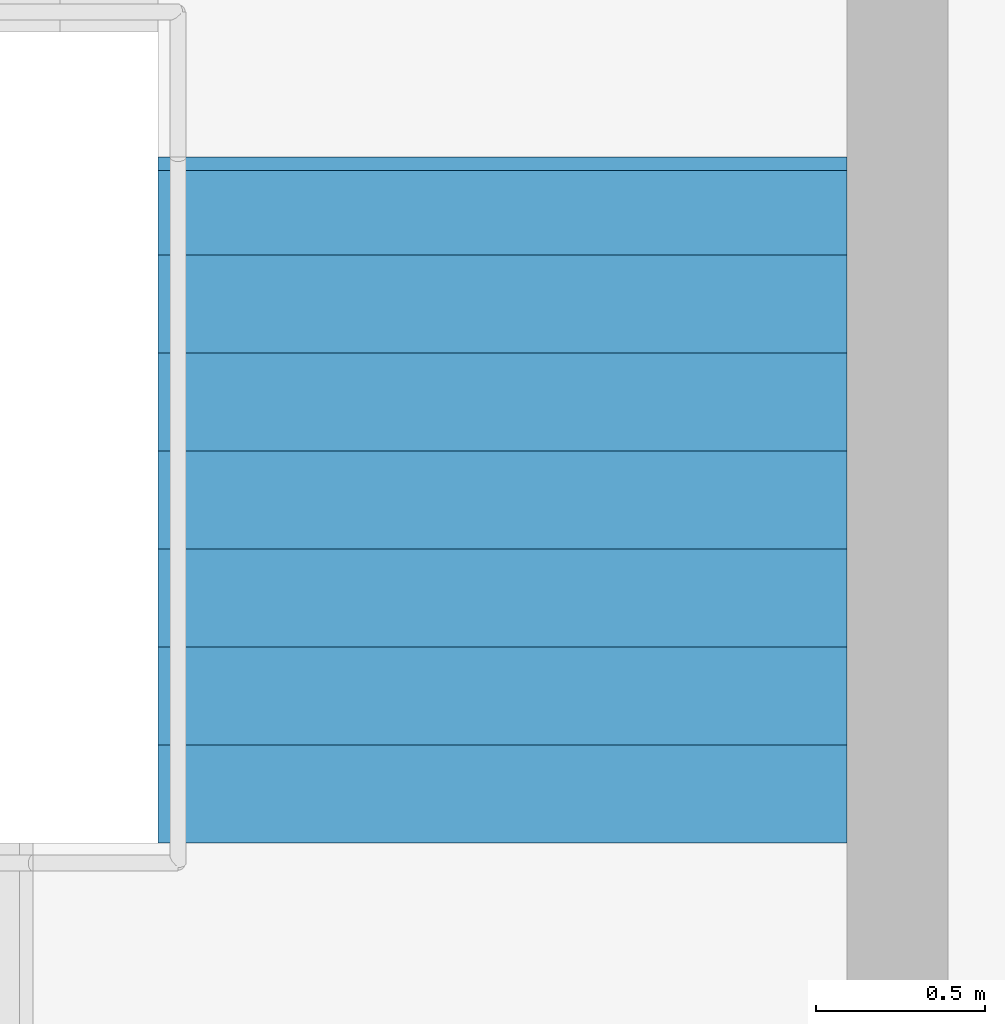
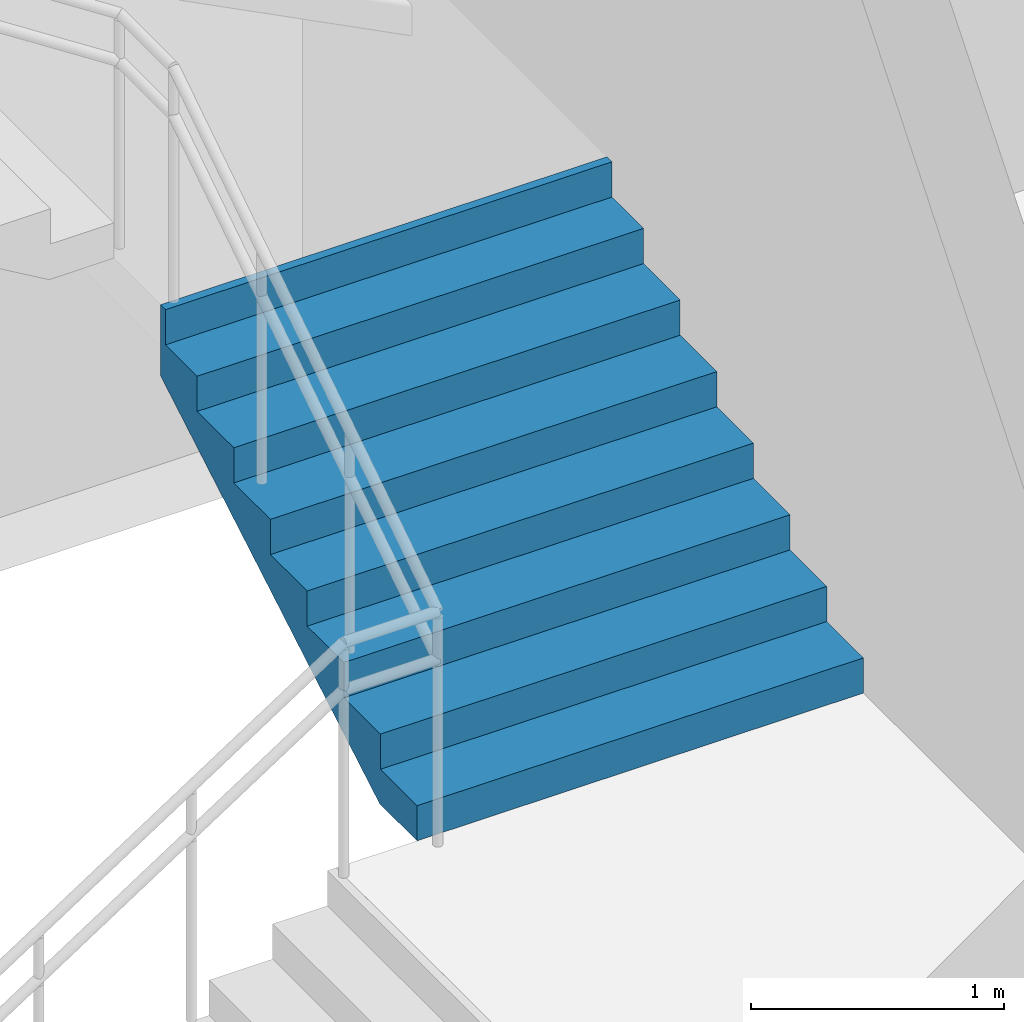
# One storey, part 59 of 72: 1 stair flight, 1 element without a shape of its own.
"""IFC4 building model written with IfcOpenShell, lengths in metres."""

from ifc_helpers import new_model, si_unit, direction, frame, origin, place, context, subcontext, project, spatial, triangles, material, type_object, element, aggregate, save


model = new_model("IFC4")

# Units and contexts
model_context = context("Model", 3, precision=1e-05, world=origin(), true_north=direction((0.0, 1.0)))
body_context = subcontext(model_context, "Body", "Model", "MODEL_VIEW")
ifc_project = project(units=[si_unit("LENGTHUNIT", "METRE"), si_unit("AREAUNIT", "SQUARE_METRE"), si_unit("VOLUMEUNIT", "CUBIC_METRE"), si_unit("PLANEANGLEUNIT", "RADIAN"), si_unit("MASSUNIT", "GRAM", prefix="KILO")], contexts=[model_context])

# Site, building, storey
site_placement = place(None, origin())
site = spatial("IfcSite", under=ifc_project, at=site_placement, CompositionType="ELEMENT")
building_placement = place(site_placement, origin())
building = spatial("IfcBuilding", under=site, at=building_placement, Name="Sillaruma Civic Art Gallery", CompositionType="ELEMENT")
storey_placement = place(building_placement, frame((0.0, 0.0, 10.8798828125)))
storey = spatial("IfcBuildingStorey", under=building, at=storey_placement, Name="L02", CompositionType="ELEMENT", Elevation=10.8798828125)

# Stair, stair flight
ifc_material = material(Name="Concrete H35 (35 MPa)", Category="concrete")
stair_type = type_object("IfcStairType", Name="STR-4F-32", PredefinedType="USERDEFINED", material=ifc_material)
stair_placement = place(storey_placement, origin())
stair = element("IfcStair", 1, at=stair_placement, inside=storey, type_object=stair_type, Name="Protected Exit Stair ST-01 (West Wing) (L02)", ObjectType="THREE_RETURN_STAIR", PredefinedType="USERDEFINED")
stair_flight_type = type_object("IfcStairFlightType", Name="SFL-STR-8", PredefinedType="STRAIGHT", material=ifc_material)
stair_flight_placement = place(storey_placement, frame((31.02001953125, 102.739990234375, 1.360107421875), z_axis=(0.0, 0.0, 1.0), x_axis=(0.0, 1.0, 0.0)))
stair_flight = element("IfcStairFlight", 2, at=stair_flight_placement, type_object=stair_flight_type, Name="ST-01 flight 2", NumberOfRisers=8, NumberOfTreads=7, PredefinedType="STRAIGHT", RiserHeight=0.17, TreadLength=0.29, context=body_context, shape_type="Tessellation", body=[
    triangles([(0.0, -1.02001953125, 0.0), (0.29, -1.02001953125, 0.0), (0.296443, -1.02001953125, 0.0), (0.58, -1.02001953125, 0.166223), (0.87, -1.02001953125, 0.336223), (1.16, -1.02001953125, 0.506223), (1.45, -1.02001953125, 0.676223), (1.74, -1.02001953125, 0.846223), (1.990029, -1.02001953125, 0.992792), (2.030029, -1.02001953125, 1.01624), (2.030029, -1.02001953125, 1.36), (1.990029, -1.02001953125, 1.36), (1.990029, -1.02001953125, 1.19), (1.74, -1.02001953125, 1.19), (1.74, -1.02001953125, 1.02), (1.45, -1.02001953125, 1.02), (1.45, -1.02001953125, 0.85), (1.16, -1.02001953125, 0.85), (1.16, -1.02001953125, 0.68), (0.87, -1.02001953125, 0.68), (0.87, -1.02001953125, 0.51), (0.58, -1.02001953125, 0.51), (0.58, -1.02001953125, 0.34), (0.296443, -1.02001953125, 0.34), (0.29, -1.02001953125, 0.34), (0.29, -1.02001953125, 0.17), (0.0, -1.02001953125, 0.17), (0.0, -0.05, 0.0), (0.29, -0.05, 0.0), (0.296443, -0.05, 0.0), (0.58, -0.05, 0.166223), (0.87, -0.05, 0.336223), (1.16, -0.05, 0.506223), (1.45, -0.05, 0.676223), (1.74, -0.05, 0.846223), (1.990029, -0.05, 0.992792), (2.030029, -0.05, 1.01624), (2.030029, -0.05, 1.36), (1.990029, -0.05, 1.36), (1.990029, -0.05, 1.19), (1.74, -0.05, 1.19), (1.74, -0.05, 1.02), (1.45, -0.05, 1.02), (1.45, -0.05, 0.85), (1.16, -0.05, 0.85), (1.16, -0.05, 0.68), (0.87, -0.05, 0.68), (0.87, -0.05, 0.51), (0.58, -0.05, 0.51), (0.58, -0.05, 0.34), (0.296443, -0.05, 0.34), (0.29, -0.05, 0.34), (0.29, -0.05, 0.17), (0.0, -0.05, 0.17), (0.0, -0.0375, 0.0), (0.29, -0.0375, 0.0), (0.296443, -0.0375, 0.0), (0.58, -0.0375, 0.166223), (0.87, -0.0375, 0.336223), (1.16, -0.0375, 0.506223), (1.45, -0.0375, 0.676223), (1.74, -0.0375, 0.846223), (1.990029, -0.0375, 0.992792), (2.030029, -0.0375, 1.01624), (2.030029, -0.0375, 1.36), (1.990029, -0.0375, 1.36), (1.990029, -0.0375, 1.19), (1.74, -0.0375, 1.19), (1.74, -0.0375, 1.02), (1.45, -0.0375, 1.02), (1.45, -0.0375, 0.85), (1.16, -0.0375, 0.85), (1.16, -0.0375, 0.68), (0.87, -0.0375, 0.68), (0.87, -0.0375, 0.51), (0.58, -0.0375, 0.51), (0.58, -0.0375, 0.34), (0.296443, -0.0375, 0.34), (0.29, -0.0375, 0.34), (0.29, -0.0375, 0.17), (0.0, -0.0375, 0.17), (0.0, -0.025, 0.0), (0.29, -0.025, 0.0), (0.296443, -0.025, 0.0), (0.58, -0.025, 0.166223), (0.87, -0.025, 0.336223), (1.16, -0.025, 0.506223), (1.45, -0.025, 0.676223), (1.74, -0.025, 0.846223), (1.990029, -0.025, 0.992792), (2.030029, -0.025, 1.01624), (2.030029, -0.025, 1.36), (1.990029, -0.025, 1.36), (1.990029, -0.025, 1.19), (1.74, -0.025, 1.19), (1.74, -0.025, 1.02), (1.45, -0.025, 1.02), (1.45, -0.025, 0.85), (1.16, -0.025, 0.85), (1.16, -0.025, 0.68), (0.87, -0.025, 0.68), (0.87, -0.025, 0.51), (0.58, -0.025, 0.51), (0.58, -0.025, 0.34), (0.296443, -0.025, 0.34), (0.29, -0.025, 0.34), (0.29, -0.025, 0.17), (0.0, -0.025, 0.17), (0.0, -0.0125, 0.0), (0.29, -0.0125, 0.0), (0.296443, -0.0125, 0.0), (0.58, -0.0125, 0.166223), (0.87, -0.0125, 0.336223), (1.16, -0.0125, 0.506223), (1.45, -0.0125, 0.676223), (1.74, -0.0125, 0.846223), (1.990029, -0.0125, 0.992792), (2.030029, -0.0125, 1.01624), (2.030029, -0.0125, 1.36), (1.990029, -0.0125, 1.36), (1.990029, -0.0125, 1.19), (1.74, -0.0125, 1.19), (1.74, -0.0125, 1.02), (1.45, -0.0125, 1.02), (1.45, -0.0125, 0.85), (1.16, -0.0125, 0.85), (1.16, -0.0125, 0.68), (0.87, -0.0125, 0.68), (0.87, -0.0125, 0.51), (0.58, -0.0125, 0.51), (0.58, -0.0125, 0.34), (0.296443, -0.0125, 0.34), (0.29, -0.0125, 0.34), (0.29, -0.0125, 0.17), (0.0, -0.0125, 0.17), (0.0, 0.0, 0.0), (0.29, 0.0, 0.0), (0.296443, 0.0, 0.0), (0.58, 0.0, 0.166223), (0.87, 0.0, 0.336223), (1.16, 0.0, 0.506223), (1.45, 0.0, 0.676223), (1.74, 0.0, 0.846223), (1.990029, 0.0, 0.992792), (2.030029, 0.0, 1.01624), (2.030029, 0.0, 1.36), (1.990029, 0.0, 1.36), (1.990029, 0.0, 1.19), (1.74, 0.0, 1.19), (1.74, 0.0, 1.02), (1.45, 0.0, 1.02), (1.45, 0.0, 0.85), (1.16, 0.0, 0.85), (1.16, 0.0, 0.68), (0.87, 0.0, 0.68), (0.87, 0.0, 0.51), (0.58, 0.0, 0.51), (0.58, 0.0, 0.34), (0.296443, 0.0, 0.34), (0.29, 0.0, 0.34), (0.29, 0.0, 0.17), (0.0, 0.0, 0.17), (0.0, 0.0125, 0.0), (0.29, 0.0125, 0.0), (0.296443, 0.0125, 0.0), (0.58, 0.0125, 0.166223), (0.87, 0.0125, 0.336223), (1.16, 0.0125, 0.506223), (1.45, 0.0125, 0.676223), (1.74, 0.0125, 0.846223), (1.990029, 0.0125, 0.992792), (2.030029, 0.0125, 1.01624), (2.030029, 0.0125, 1.36), (1.990029, 0.0125, 1.36), (1.990029, 0.0125, 1.19), (1.74, 0.0125, 1.19), (1.74, 0.0125, 1.02), (1.45, 0.0125, 1.02), (1.45, 0.0125, 0.85), (1.16, 0.0125, 0.85), (1.16, 0.0125, 0.68), (0.87, 0.0125, 0.68), (0.87, 0.0125, 0.51), (0.58, 0.0125, 0.51), (0.58, 0.0125, 0.34), (0.296443, 0.0125, 0.34), (0.29, 0.0125, 0.34), (0.29, 0.0125, 0.17), (0.0, 0.0125, 0.17), (0.0, 0.025, 0.0), (0.29, 0.025, 0.0), (0.296443, 0.025, 0.0), (0.58, 0.025, 0.166223), (0.87, 0.025, 0.336223), (1.16, 0.025, 0.506223), (1.45, 0.025, 0.676223), (1.74, 0.025, 0.846223), (1.990029, 0.025, 0.992792), (2.030029, 0.025, 1.01624), (2.030029, 0.025, 1.36), (1.990029, 0.025, 1.36), (1.990029, 0.025, 1.19), (1.74, 0.025, 1.19), (1.74, 0.025, 1.02), (1.45, 0.025, 1.02), (1.45, 0.025, 0.85), (1.16, 0.025, 0.85), (1.16, 0.025, 0.68), (0.87, 0.025, 0.68), (0.87, 0.025, 0.51), (0.58, 0.025, 0.51), (0.58, 0.025, 0.34), (0.296443, 0.025, 0.34), (0.29, 0.025, 0.34), (0.29, 0.025, 0.17), (0.0, 0.025, 0.17), (0.0, 0.0375, 0.0), (0.29, 0.0375, 0.0), (0.296443, 0.0375, 0.0), (0.58, 0.0375, 0.166223), (0.87, 0.0375, 0.336223), (1.16, 0.0375, 0.506223), (1.45, 0.0375, 0.676223), (1.74, 0.0375, 0.846223), (1.990029, 0.0375, 0.992792), (2.030029, 0.0375, 1.01624), (2.030029, 0.0375, 1.36), (1.990029, 0.0375, 1.36), (1.990029, 0.0375, 1.19), (1.74, 0.0375, 1.19), (1.74, 0.0375, 1.02), (1.45, 0.0375, 1.02), (1.45, 0.0375, 0.85), (1.16, 0.0375, 0.85), (1.16, 0.0375, 0.68), (0.87, 0.0375, 0.68), (0.87, 0.0375, 0.51), (0.58, 0.0375, 0.51), (0.58, 0.0375, 0.34), (0.296443, 0.0375, 0.34), (0.29, 0.0375, 0.34), (0.29, 0.0375, 0.17), (0.0, 0.0375, 0.17), (0.0, 0.05, 0.0), (0.29, 0.05, 0.0), (0.296443, 0.05, 0.0), (0.58, 0.05, 0.166223), (0.87, 0.05, 0.336223), (1.16, 0.05, 0.506223), (1.45, 0.05, 0.676223), (1.74, 0.05, 0.846223), (1.990029, 0.05, 0.992792), (2.030029, 0.05, 1.01624), (2.030029, 0.05, 1.36), (1.990029, 0.05, 1.36), (1.990029, 0.05, 1.19), (1.74, 0.05, 1.19), (1.74, 0.05, 1.02), (1.45, 0.05, 1.02), (1.45, 0.05, 0.85), (1.16, 0.05, 0.85), (1.16, 0.05, 0.68), (0.87, 0.05, 0.68), (0.87, 0.05, 0.51), (0.58, 0.05, 0.51), (0.58, 0.05, 0.34), (0.296443, 0.05, 0.34), (0.29, 0.05, 0.34), (0.29, 0.05, 0.17), (0.0, 0.05, 0.17), (0.0, 1.02001953125, 0.0), (0.29, 1.02001953125, 0.0), (0.296443, 1.02001953125, 0.0), (0.58, 1.02001953125, 0.166223), (0.87, 1.02001953125, 0.336223), (1.16, 1.02001953125, 0.506223), (1.45, 1.02001953125, 0.676223), (1.74, 1.02001953125, 0.846223), (1.990029, 1.02001953125, 0.992792), (2.030029, 1.02001953125, 1.01624), (2.030029, 1.02001953125, 1.36), (1.990029, 1.02001953125, 1.36), (1.990029, 1.02001953125, 1.19), (1.74, 1.02001953125, 1.19), (1.74, 1.02001953125, 1.02), (1.45, 1.02001953125, 1.02), (1.45, 1.02001953125, 0.85), (1.16, 1.02001953125, 0.85), (1.16, 1.02001953125, 0.68), (0.87, 1.02001953125, 0.68), (0.87, 1.02001953125, 0.51), (0.58, 1.02001953125, 0.51), (0.58, 1.02001953125, 0.34), (0.296443, 1.02001953125, 0.34), (0.29, 1.02001953125, 0.34), (0.29, 1.02001953125, 0.17), (0.0, 1.02001953125, 0.17)], [[1, 2, 26], [1, 26, 27], [2, 3, 24], [2, 24, 26], [26, 24, 25], [3, 4, 23], [3, 23, 24], [4, 5, 21], [4, 21, 23], [23, 21, 22], [5, 6, 19], [5, 19, 21], [21, 19, 20], [6, 7, 17], [6, 17, 19], [19, 17, 18], [7, 8, 15], [7, 15, 17], [17, 15, 16], [8, 9, 13], [8, 13, 15], [15, 13, 14], [9, 10, 11], [9, 11, 13], [13, 11, 12], [296, 272, 271], [297, 296, 271], [294, 273, 272], [296, 294, 272], [295, 294, 296], [293, 274, 273], [294, 293, 273], [291, 275, 274], [293, 291, 274], [292, 291, 293], [289, 276, 275], [291, 289, 275], [290, 289, 291], [287, 277, 276], [289, 287, 276], [288, 287, 289], [285, 278, 277], [287, 285, 277], [286, 285, 287], [283, 279, 278], [285, 283, 278], [284, 283, 285], [281, 280, 279], [283, 281, 279], [282, 281, 283], [2, 1, 28], [2, 28, 29], [3, 2, 29], [3, 29, 30], [4, 3, 30], [4, 30, 31], [5, 4, 31], [5, 31, 32], [6, 5, 32], [6, 32, 33], [7, 6, 33], [7, 33, 34], [8, 7, 34], [8, 34, 35], [9, 8, 35], [9, 35, 36], [10, 9, 36], [10, 36, 37], [11, 10, 37], [11, 37, 38], [12, 11, 38], [12, 38, 39], [13, 12, 39], [13, 39, 40], [14, 13, 40], [14, 40, 41], [15, 14, 41], [15, 41, 42], [16, 15, 42], [16, 42, 43], [17, 16, 43], [17, 43, 44], [18, 17, 44], [18, 44, 45], [19, 18, 45], [19, 45, 46], [20, 19, 46], [20, 46, 47], [21, 20, 47], [21, 47, 48], [22, 21, 48], [22, 48, 49], [23, 22, 49], [23, 49, 50], [24, 23, 50], [24, 50, 51], [25, 24, 51], [25, 51, 52], [26, 25, 52], [26, 52, 53], [27, 26, 53], [27, 53, 54], [1, 27, 54], [1, 54, 28], [29, 28, 55], [29, 55, 56], [30, 29, 56], [30, 56, 57], [31, 30, 57], [31, 57, 58], [32, 31, 58], [32, 58, 59], [33, 32, 59], [33, 59, 60], [34, 33, 60], [34, 60, 61], [35, 34, 61], [35, 61, 62], [36, 35, 62], [36, 62, 63], [37, 36, 63], [37, 63, 64], [38, 37, 64], [38, 64, 65], [39, 38, 65], [39, 65, 66], [40, 39, 66], [40, 66, 67], [41, 40, 67], [41, 67, 68], [42, 41, 68], [42, 68, 69], [43, 42, 69], [43, 69, 70], [44, 43, 70], [44, 70, 71], [45, 44, 71], [45, 71, 72], [46, 45, 72], [46, 72, 73], [47, 46, 73], [47, 73, 74], [48, 47, 74], [48, 74, 75], [49, 48, 75], [49, 75, 76], [50, 49, 76], [50, 76, 77], [51, 50, 77], [51, 77, 78], [52, 51, 78], [52, 78, 79], [53, 52, 79], [53, 79, 80], [54, 53, 80], [54, 80, 81], [28, 54, 81], [28, 81, 55], [56, 55, 82], [56, 82, 83], [57, 56, 83], [57, 83, 84], [58, 57, 84], [58, 84, 85], [59, 58, 85], [59, 85, 86], [60, 59, 86], [60, 86, 87], [61, 60, 87], [61, 87, 88], [62, 61, 88], [62, 88, 89], [63, 62, 89], [63, 89, 90], [64, 63, 90], [64, 90, 91], [65, 64, 91], [65, 91, 92], [66, 65, 92], [66, 92, 93], [67, 66, 93], [67, 93, 94], [68, 67, 94], [68, 94, 95], [69, 68, 95], [69, 95, 96], [70, 69, 96], [70, 96, 97], [71, 70, 97], [71, 97, 98], [72, 71, 98], [72, 98, 99], [73, 72, 99], [73, 99, 100], [74, 73, 100], [74, 100, 101], [75, 74, 101], [75, 101, 102], [76, 75, 102], [76, 102, 103], [77, 76, 103], [77, 103, 104], [78, 77, 104], [78, 104, 105], [79, 78, 105], [79, 105, 106], [80, 79, 106], [80, 106, 107], [81, 80, 107], [81, 107, 108], [55, 81, 108], [55, 108, 82], [83, 82, 109], [83, 109, 110], [84, 83, 110], [84, 110, 111], [85, 84, 111], [85, 111, 112], [86, 85, 112], [86, 112, 113], [87, 86, 113], [87, 113, 114], [88, 87, 114], [88, 114, 115], [89, 88, 115], [89, 115, 116], [90, 89, 116], [90, 116, 117], [91, 90, 117], [91, 117, 118], [92, 91, 118], [92, 118, 119], [93, 92, 119], [93, 119, 120], [94, 93, 120], [94, 120, 121], [95, 94, 121], [95, 121, 122], [96, 95, 122], [96, 122, 123], [97, 96, 123], [97, 123, 124], [98, 97, 124], [98, 124, 125], [99, 98, 125], [99, 125, 126], [100, 99, 126], [100, 126, 127], [101, 100, 127], [101, 127, 128], [102, 101, 128], [102, 128, 129], [103, 102, 129], [103, 129, 130], [104, 103, 130], [104, 130, 131], [105, 104, 131], [105, 131, 132], [106, 105, 132], [106, 132, 133], [107, 106, 133], [107, 133, 134], [108, 107, 134], [108, 134, 135], [82, 108, 135], [82, 135, 109], [110, 109, 136], [110, 136, 137], [111, 110, 137], [111, 137, 138], [112, 111, 138], [112, 138, 139], [113, 112, 139], [113, 139, 140], [114, 113, 140], [114, 140, 141], [115, 114, 141], [115, 141, 142], [116, 115, 142], [116, 142, 143], [117, 116, 143], [117, 143, 144], [118, 117, 144], [118, 144, 145], [119, 118, 145], [119, 145, 146], [120, 119, 146], [120, 146, 147], [121, 120, 147], [121, 147, 148], [122, 121, 148], [122, 148, 149], [123, 122, 149], [123, 149, 150], [124, 123, 150], [124, 150, 151], [125, 124, 151], [125, 151, 152], [126, 125, 152], [126, 152, 153], [127, 126, 153], [127, 153, 154], [128, 127, 154], [128, 154, 155], [129, 128, 155], [129, 155, 156], [130, 129, 156], [130, 156, 157], [131, 130, 157], [131, 157, 158], [132, 131, 158], [132, 158, 159], [133, 132, 159], [133, 159, 160], [134, 133, 160], [134, 160, 161], [135, 134, 161], [135, 161, 162], [109, 135, 162], [109, 162, 136], [137, 136, 163], [137, 163, 164], [138, 137, 164], [138, 164, 165], [139, 138, 165], [139, 165, 166], [140, 139, 166], [140, 166, 167], [141, 140, 167], [141, 167, 168], [142, 141, 168], [142, 168, 169], [143, 142, 169], [143, 169, 170], [144, 143, 170], [144, 170, 171], [145, 144, 171], [145, 171, 172], [146, 145, 172], [146, 172, 173], [147, 146, 173], [147, 173, 174], [148, 147, 174], [148, 174, 175], [149, 148, 175], [149, 175, 176], [150, 149, 176], [150, 176, 177], [151, 150, 177], [151, 177, 178], [152, 151, 178], [152, 178, 179], [153, 152, 179], [153, 179, 180], [154, 153, 180], [154, 180, 181], [155, 154, 181], [155, 181, 182], [156, 155, 182], [156, 182, 183], [157, 156, 183], [157, 183, 184], [158, 157, 184], [158, 184, 185], [159, 158, 185], [159, 185, 186], [160, 159, 186], [160, 186, 187], [161, 160, 187], [161, 187, 188], [162, 161, 188], [162, 188, 189], [136, 162, 189], [136, 189, 163], [164, 163, 190], [164, 190, 191], [165, 164, 191], [165, 191, 192], [166, 165, 192], [166, 192, 193], [167, 166, 193], [167, 193, 194], [168, 167, 194], [168, 194, 195], [169, 168, 195], [169, 195, 196], [170, 169, 196], [170, 196, 197], [171, 170, 197], [171, 197, 198], [172, 171, 198], [172, 198, 199], [173, 172, 199], [173, 199, 200], [174, 173, 200], [174, 200, 201], [175, 174, 201], [175, 201, 202], [176, 175, 202], [176, 202, 203], [177, 176, 203], [177, 203, 204], [178, 177, 204], [178, 204, 205], [179, 178, 205], [179, 205, 206], [180, 179, 206], [180, 206, 207], [181, 180, 207], [181, 207, 208], [182, 181, 208], [182, 208, 209], [183, 182, 209], [183, 209, 210], [184, 183, 210], [184, 210, 211], [185, 184, 211], [185, 211, 212], [186, 185, 212], [186, 212, 213], [187, 186, 213], [187, 213, 214], [188, 187, 214], [188, 214, 215], [189, 188, 215], [189, 215, 216], [163, 189, 216], [163, 216, 190], [191, 190, 217], [191, 217, 218], [192, 191, 218], [192, 218, 219], [193, 192, 219], [193, 219, 220], [194, 193, 220], [194, 220, 221], [195, 194, 221], [195, 221, 222], [196, 195, 222], [196, 222, 223], [197, 196, 223], [197, 223, 224], [198, 197, 224], [198, 224, 225], [199, 198, 225], [199, 225, 226], [200, 199, 226], [200, 226, 227], [201, 200, 227], [201, 227, 228], [202, 201, 228], [202, 228, 229], [203, 202, 229], [203, 229, 230], [204, 203, 230], [204, 230, 231], [205, 204, 231], [205, 231, 232], [206, 205, 232], [206, 232, 233], [207, 206, 233], [207, 233, 234], [208, 207, 234], [208, 234, 235], [209, 208, 235], [209, 235, 236], [210, 209, 236], [210, 236, 237], [211, 210, 237], [211, 237, 238], [212, 211, 238], [212, 238, 239], [213, 212, 239], [213, 239, 240], [214, 213, 240], [214, 240, 241], [215, 214, 241], [215, 241, 242], [216, 215, 242], [216, 242, 243], [190, 216, 243], [190, 243, 217], [218, 217, 244], [218, 244, 245], [219, 218, 245], [219, 245, 246], [220, 219, 246], [220, 246, 247], [221, 220, 247], [221, 247, 248], [222, 221, 248], [222, 248, 249], [223, 222, 249], [223, 249, 250], [224, 223, 250], [224, 250, 251], [225, 224, 251], [225, 251, 252], [226, 225, 252], [226, 252, 253], [227, 226, 253], [227, 253, 254], [228, 227, 254], [228, 254, 255], [229, 228, 255], [229, 255, 256], [230, 229, 256], [230, 256, 257], [231, 230, 257], [231, 257, 258], [232, 231, 258], [232, 258, 259], [233, 232, 259], [233, 259, 260], [234, 233, 260], [234, 260, 261], [235, 234, 261], [235, 261, 262], [236, 235, 262], [236, 262, 263], [237, 236, 263], [237, 263, 264], [238, 237, 264], [238, 264, 265], [239, 238, 265], [239, 265, 266], [240, 239, 266], [240, 266, 267], [241, 240, 267], [241, 267, 268], [242, 241, 268], [242, 268, 269], [243, 242, 269], [243, 269, 270], [217, 243, 270], [217, 270, 244], [245, 244, 271], [245, 271, 272], [246, 245, 272], [246, 272, 273], [247, 246, 273], [247, 273, 274], [248, 247, 274], [248, 274, 275], [249, 248, 275], [249, 275, 276], [250, 249, 276], [250, 276, 277], [251, 250, 277], [251, 277, 278], [252, 251, 278], [252, 278, 279], [253, 252, 279], [253, 279, 280], [254, 253, 280], [254, 280, 281], [255, 254, 281], [255, 281, 282], [256, 255, 282], [256, 282, 283], [257, 256, 283], [257, 283, 284], [258, 257, 284], [258, 284, 285], [259, 258, 285], [259, 285, 286], [260, 259, 286], [260, 286, 287], [261, 260, 287], [261, 287, 288], [262, 261, 288], [262, 288, 289], [263, 262, 289], [263, 289, 290], [264, 263, 290], [264, 290, 291], [265, 264, 291], [265, 291, 292], [266, 265, 292], [266, 292, 293], [267, 266, 293], [267, 293, 294], [268, 267, 294], [268, 294, 295], [269, 268, 295], [269, 295, 296], [270, 269, 296], [270, 296, 297], [244, 270, 297], [244, 297, 271]], closed=True),
])
aggregate(stair, [stair_flight])

save(model, "model.ifc")
